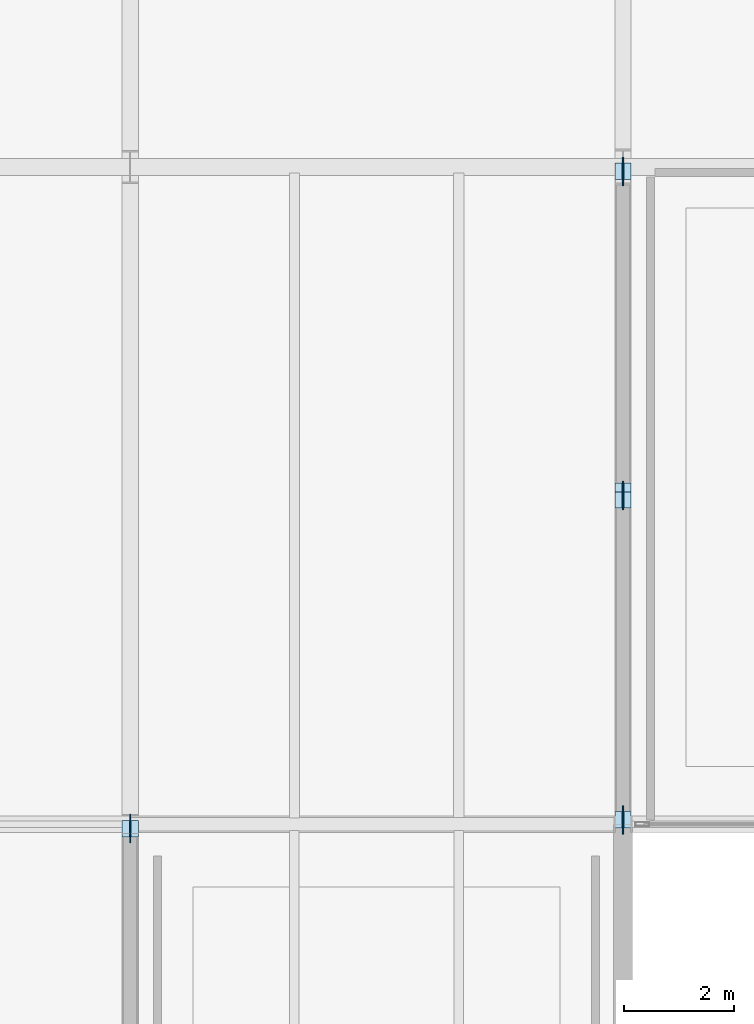
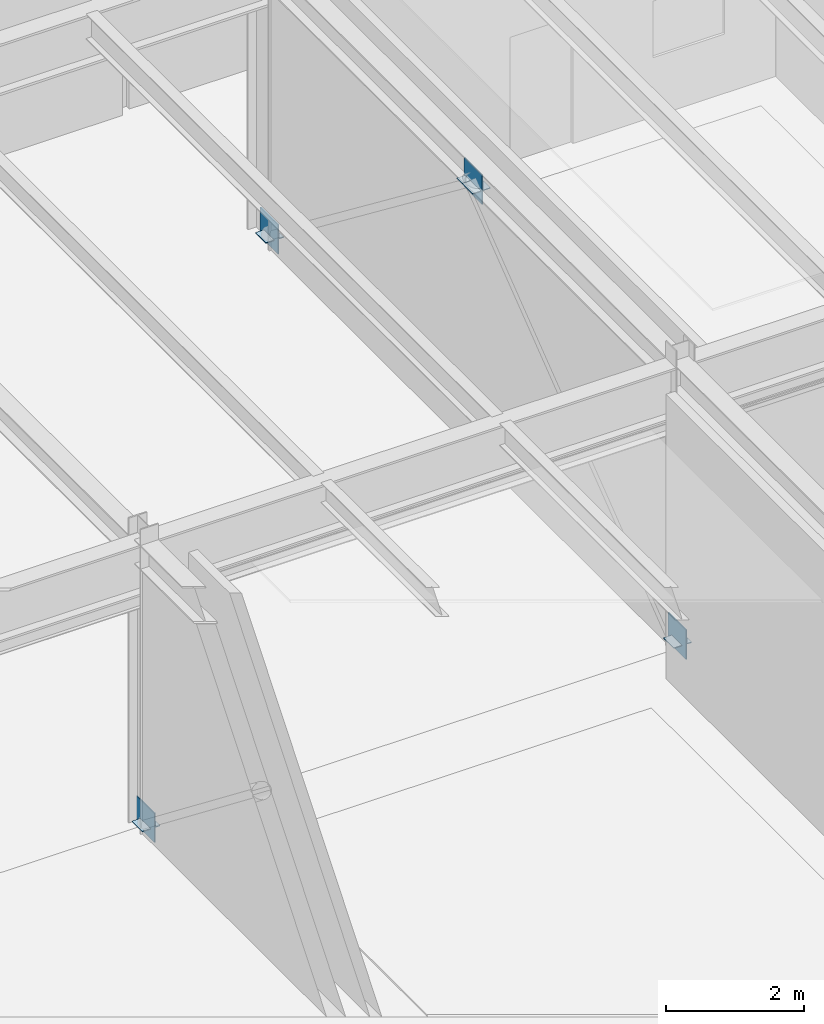
# One storey, part 117 of 143: 9 plates.
"""IFC4 building model written with IfcOpenShell, lengths in metres."""

from ifc_helpers import new_model, si_unit, direction, frame, origin, origin_2d, place, context, subcontext, project, spatial, rectangle, extrude, material, layer, layer_set, type_object, element, save


model = new_model("IFC4")

# Units and contexts
model_context = context("Model", 3, precision=1e-05, world=origin(), true_north=direction((0.0, 1.0)))
body_context = subcontext(model_context, "Body", "Model", "MODEL_VIEW")
ifc_project = project(units=[si_unit("LENGTHUNIT", "METRE"), si_unit("AREAUNIT", "SQUARE_METRE"), si_unit("VOLUMEUNIT", "CUBIC_METRE"), si_unit("PLANEANGLEUNIT", "RADIAN"), si_unit("MASSUNIT", "GRAM", prefix="KILO")], contexts=[model_context])

# Site, building, storey
site_placement = place(None, origin())
site = spatial("IfcSite", under=ifc_project, at=site_placement, CompositionType="ELEMENT")
building_placement = place(site_placement, origin())
building = spatial("IfcBuilding", under=site, at=building_placement, Name="Montelvaro Courts of Justice", CompositionType="ELEMENT")
storey_placement = place(building_placement, origin())
storey = spatial("IfcBuildingStorey", under=building, at=storey_placement, Name="L00", CompositionType="ELEMENT", Elevation=0.0)

# Plates
ifc_material = material(Name="Steel S355", Category="steel")
ifc_layer_1 = layer(ifc_material, 0.011962890625)
ifc_layer_set_1 = layer_set([ifc_layer_1], Name="Steel S355")
plate_type_1 = type_object("IfcPlateType", Name="EndCapPlate_12", PredefinedType="USERDEFINED", material=ifc_layer_set_1)
for number, where, z_axis, x_axis, name in (
    (1, (126.0, 66.080078125, 0.07421875), (0.0, 0.0, 1.0), (1.0, 0.0, 0.0), "Brace End Cap Plate CP-01 CBF3-L00-1A"),
    (2, (126.0, 71.919921875, 4.583984375), (0.0, 0.0, 1.0), (1.0, 0.0, 0.0), "Brace End Cap Plate CP-01 CBF3-L00-1B"),
    (3, (126.0, 77.919921875, 0.07421875), (0.0, 0.0, 1.0), (1.0, 0.0, 0.0), "Brace End Cap Plate CP-01 CBF3-L00-2A"),
    (4, (126.0, 72.080078125, 4.583984375), (0.0, 0.0, 1.0), (1.0, 0.0, 0.0), "Brace End Cap Plate CP-01 CBF3-L00-2B"),
    (5, (117.0, 65.919921875, 0.07421875), (0.0, 0.0, 1.0), (1.0, 0.0, 0.0), "Brace End Cap Plate CP-01 CBF4-L00-2A"),
):
    element("IfcPlate", number, at=place(storey_placement, frame(where, z_axis=z_axis, x_axis=x_axis)), inside=storey, type_object=plate_type_1, Name=name, ObjectType="GUSSET PLATE", PredefinedType="USERDEFINED", context=body_context, shape_type="SweptSolid", body=[
        extrude(rectangle(XDim=0.300048828125, YDim=0.300048828125, at=origin_2d()), origin(), (0.0, 0.0, 1.0), 0.011962890625),
    ])
ifc_layer_2 = layer(ifc_material, 0.02001953125)
ifc_layer_set_2 = layer_set([ifc_layer_2], Name="Steel S355")
plate_type_2 = type_object("IfcPlateType", Name="GussetPlate_20", PredefinedType="USERDEFINED", material=ifc_layer_set_2)
for number, where, z_axis, x_axis, name in (
    (6, (126.0, 66.080078125, -0.10009765625), (0.0, 0.0, 1.0), (1.0, 0.0, 0.0), "Chevron Brace Base Gusset Plate GP-01 CBF3-L00-B1"),
    (7, (126.0, 77.919921875, -0.10009765625), (0.0, 0.0, 1.0), (1.0, 0.0, 0.0), "Chevron Brace Base Gusset Plate GP-01 CBF3-L00-B2"),
    (8, (126.0, 72.0, 4.369873046875), (0.0, 0.0, 1.0), (1.0, 0.0, 0.0), "Chevron Brace Gusset Plate GP-01 CBF3-L00"),
    (9, (117.0, 65.919921875, -0.10009765625), (0.0, 0.0, 1.0), (1.0, 0.0, 0.0), "Chevron Brace Base Gusset Plate GP-01 CBF4-L00-B2"),
):
    element("IfcPlate", number, at=place(storey_placement, frame(where, z_axis=z_axis, x_axis=x_axis)), inside=storey, type_object=plate_type_2, Name=name, ObjectType="GUSSET PLATE", PredefinedType="USERDEFINED", context=body_context, shape_type="SweptSolid", body=[
        extrude(rectangle(XDim=0.02001953125, YDim=0.52001953125, at=origin_2d()), origin(), (0.0, 0.0, 1.0), 0.52001953125),
    ])

save(model, "model.ifc")
